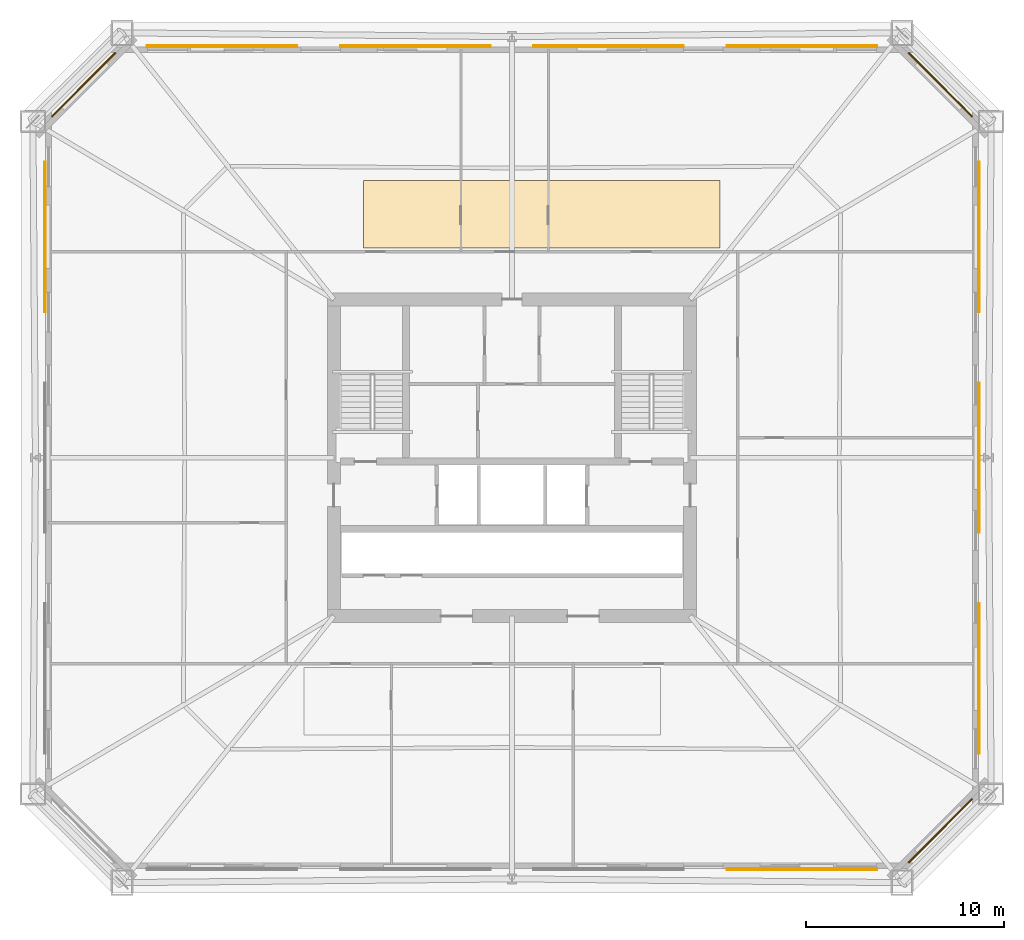
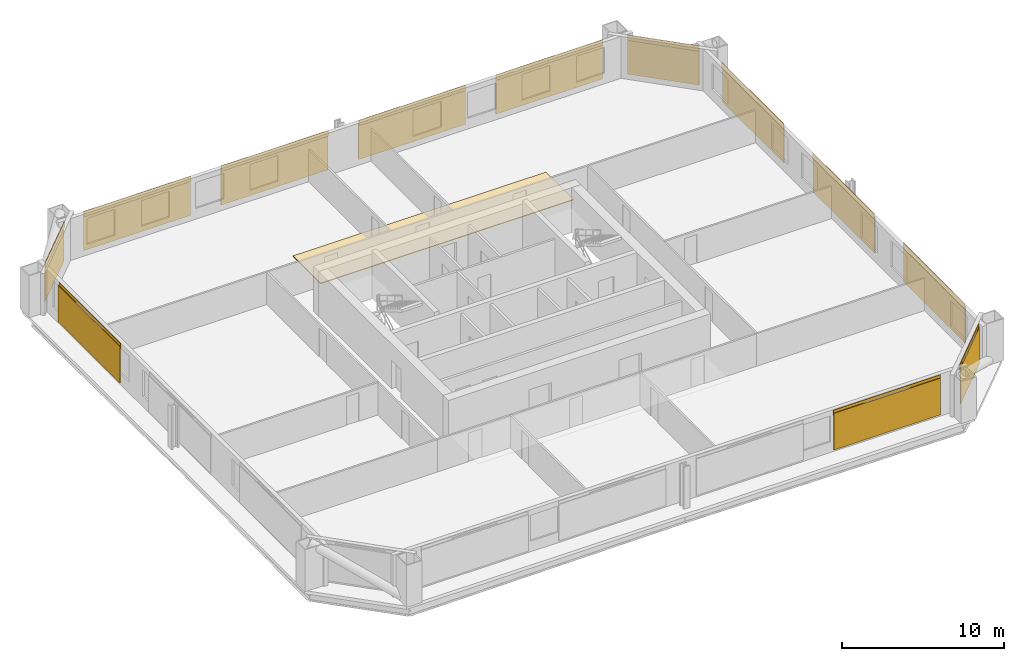
# One storey, part 7 of 7: 13 coverings, 12 shading devices.
"""IFC4 building model written with IfcOpenShell, lengths in metres."""

from ifc_helpers import new_model, si_unit, direction, frame, origin, origin_2d, place, context, subcontext, project, spatial, polyline, rectangle, outline, extrude, material, layer, layer_set, type_object, element, save


model = new_model("IFC4")

# Units and contexts
model_context = context("Model", 3, precision=1e-05, world=origin(), true_north=direction((0.0, 1.0)))
body_context = subcontext(model_context, "Body", "Model", "MODEL_VIEW")
ifc_project = project(units=[si_unit("LENGTHUNIT", "METRE"), si_unit("AREAUNIT", "SQUARE_METRE"), si_unit("VOLUMEUNIT", "CUBIC_METRE"), si_unit("PLANEANGLEUNIT", "RADIAN"), si_unit("MASSUNIT", "GRAM", prefix="KILO")], contexts=[model_context])

# Site, building, storey
site_placement = place(None, origin())
site = spatial("IfcSite", under=ifc_project, at=site_placement, CompositionType="ELEMENT")
building_placement = place(site_placement, origin())
building = spatial("IfcBuilding", under=site, at=building_placement, Name="Caelvoria Tower", CompositionType="ELEMENT")
storey_placement = place(building_placement, frame((0.0, 0.0, 31.60009765625)))
storey = spatial("IfcBuildingStorey", under=building, at=storey_placement, Name="L07", CompositionType="ELEMENT", Elevation=31.60009765625)

# Coverings
ifc_material_1 = material(Name="Perforated Architectural Bronze Cladding Screen", Category="bronze")
ifc_layer_1 = layer(ifc_material_1, 0.0400390625, Name="Perforated Architectural Bronze Cladding Screen")
ifc_layer_set_1 = layer_set([ifc_layer_1], Name="Perforated Bronze Louvre Cladding Band 40 - Perforated Architectural Bronze Cladding Screen")
covering_type_1 = type_object("IfcCoveringType", Name="Perforated Bronze Louvre Cladding Band 40", PredefinedType="CLADDING", material=ifc_layer_set_1)
covering_1_placement = place(storey_placement, frame((60.655029296875, 11.22802734375, 2.72998046875), z_axis=(0.0, 0.0, 1.0), x_axis=(1.0, 0.0, 0.0)))
element("IfcCovering", 1, at=covering_1_placement, inside=storey, type_object=covering_type_1, Name="Perforated Bronze Screen Band L07-E0-03", PredefinedType="CLADDING", context=body_context, shape_type="SweptSolid", body=[
    extrude(rectangle(XDim=7.60009765625, YDim=0.0400390625, at=origin_2d()), origin(), (0.0, 0.0, 1.0), 0.39990234375),
])
covering_2_placement = place(storey_placement, frame((67.631591796875, 13.168212890625, 2.72998046875), z_axis=(0.0, 0.0, 1.0), x_axis=(0.707106781187, 0.707106781187, 0.0)))
element("IfcCovering", 2, at=covering_2_placement, inside=storey, type_object=covering_type_1, Name="Perforated Bronze Screen Band L07-E1-00", PredefinedType="CLADDING", context=body_context, shape_type="SweptSolid", body=[
    extrude(rectangle(XDim=4.56298828125, YDim=0.0400390625, at=origin_2d()), origin(), (0.0, 0.0, 1.0), 0.39990234375),
])
for number, where, z_axis, x_axis, name in (
    (3, (69.572021484375, 20.840087890625, 2.72998046875), (0.0, 0.0, 1.0), (0.0, 1.0, 0.0), "Perforated Bronze Screen Band L07-E2-00"),
    (4, (69.572021484375, 32.0, 2.72998046875), (0.0, 0.0, 1.0), (0.0, 1.0, 0.0), "Perforated Bronze Screen Band L07-E2-01"),
    (5, (69.572021484375, 43.159912109375, 2.72998046875), (0.0, 0.0, 1.0), (0.0, 1.0, 0.0), "Perforated Bronze Screen Band L07-E2-02"),
):
    element("IfcCovering", number, at=place(storey_placement, frame(where, z_axis=z_axis, x_axis=x_axis)), inside=storey, type_object=covering_type_1, Name=name, PredefinedType="CLADDING", context=body_context, shape_type="SweptSolid", body=[
        extrude(rectangle(XDim=7.60009765625, YDim=0.0400390625, at=origin_2d()), origin(), (0.0, 0.0, 1.0), 0.39990234375),
    ])
covering_3_placement = place(storey_placement, frame((67.631591796875, 50.831787109375, 2.72998046875), z_axis=(0.0, 0.0, 1.0), x_axis=(-0.707106781187, 0.707106781187, 0.0)))
element("IfcCovering", 6, at=covering_3_placement, inside=storey, type_object=covering_type_1, Name="Perforated Bronze Screen Band L07-E3-00", PredefinedType="CLADDING", context=body_context, shape_type="SweptSolid", body=[
    extrude(rectangle(XDim=4.56298828125, YDim=0.0400390625, at=origin_2d()), origin(), (0.0, 0.0, 1.0), 0.39990234375),
])
for number, where, z_axis, x_axis, name in (
    (7, (60.655029296875, 52.77197265625, 2.72998046875), (0.0, 0.0, 1.0), (-1.0, 0.0, 0.0), "Perforated Bronze Screen Band L07-E4-00"),
    (8, (50.885009765625, 52.77197265625, 2.72998046875), (0.0, 0.0, 1.0), (-1.0, 0.0, 0.0), "Perforated Bronze Screen Band L07-E4-01"),
    (9, (41.114990234375, 52.77197265625, 2.72998046875), (0.0, 0.0, 1.0), (-1.0, 0.0, 0.0), "Perforated Bronze Screen Band L07-E4-02"),
    (10, (31.344970703125, 52.77197265625, 2.72998046875), (0.0, 0.0, 1.0), (-1.0, 0.0, 0.0), "Perforated Bronze Screen Band L07-E4-03"),
):
    element("IfcCovering", number, at=place(storey_placement, frame(where, z_axis=z_axis, x_axis=x_axis)), inside=storey, type_object=covering_type_1, Name=name, PredefinedType="CLADDING", context=body_context, shape_type="SweptSolid", body=[
        extrude(rectangle(XDim=7.60009765625, YDim=0.0400390625, at=origin_2d()), origin(), (0.0, 0.0, 1.0), 0.39990234375),
    ])
covering_4_placement = place(storey_placement, frame((24.368408203125, 50.831787109375, 2.72998046875), z_axis=(0.0, 0.0, 1.0), x_axis=(-0.707106781187, -0.707106781187, 0.0)))
element("IfcCovering", 11, at=covering_4_placement, inside=storey, type_object=covering_type_1, Name="Perforated Bronze Screen Band L07-E5-00", PredefinedType="CLADDING", context=body_context, shape_type="SweptSolid", body=[
    extrude(rectangle(XDim=4.56298828125, YDim=0.0400390625, at=origin_2d()), origin(), (0.0, 0.0, 1.0), 0.39990234375),
])
covering_5_placement = place(storey_placement, frame((22.427978515625, 43.159912109375, 2.72998046875), z_axis=(0.0, 0.0, 1.0), x_axis=(0.0, -1.0, 0.0)))
element("IfcCovering", 12, at=covering_5_placement, inside=storey, type_object=covering_type_1, Name="Perforated Bronze Screen Band L07-E6-00", PredefinedType="CLADDING", context=body_context, shape_type="SweptSolid", body=[
    extrude(rectangle(XDim=7.60009765625, YDim=0.0400390625, at=origin_2d()), origin(), (0.0, 0.0, 1.0), 0.39990234375),
])

# Shading devices
ifc_material_2 = material(Name="Perforated Architectural Bronze Alloy Panel", Category="bronze")
ifc_layer_2 = layer(ifc_material_2, 0.044921875, Name="Perforated Architectural Bronze Alloy Panel")
ifc_layer_set_2 = layer_set([ifc_layer_2], Name="Perforated Bronze Solar Screen Panel SCREEN - Perforated Architectural Bronze Alloy Panel")
shading_device_type = type_object("IfcShadingDeviceType", Name="Perforated Bronze Solar Screen Panel SCREEN", PredefinedType="USERDEFINED", material=ifc_layer_set_2)
shading_device_1_placement = place(storey_placement, frame((60.655029296875, 11.18505859375, 0.159912109375), z_axis=(0.0, 0.0, 1.0), x_axis=(1.0, 0.0, 0.0)))
element("IfcShadingDevice", 13, at=shading_device_1_placement, inside=storey, type_object=shading_device_type, Name="Perforated Bronze Solar Screen L07-E0-03", ObjectType="SCREEN", PredefinedType="USERDEFINED", context=body_context, shape_type="SweptSolid", body=[
    extrude(rectangle(XDim=7.60009765625, YDim=0.044921875, at=origin_2d()), origin(), (0.0, 0.0, 1.0), 2.75),
])
shading_device_2_placement = place(storey_placement, frame((67.662109375, 13.137939453125, 0.159912109375), z_axis=(0.0, 0.0, 1.0), x_axis=(0.707106781187, 0.707106781187, 0.0)))
element("IfcShadingDevice", 14, at=shading_device_2_placement, inside=storey, type_object=shading_device_type, Name="Perforated Bronze Solar Screen L07-E1-00", ObjectType="SCREEN", PredefinedType="USERDEFINED", context=body_context, shape_type="SweptSolid", body=[
    extrude(rectangle(XDim=4.56298828125, YDim=0.044921875, at=origin_2d()), origin(), (0.0, 0.0, 1.0), 2.75),
])
for number, where, z_axis, x_axis, name in (
    (15, (69.614990234375, 20.840087890625, 0.159912109375), (0.0, 0.0, 1.0), (0.0, 1.0, 0.0), "Perforated Bronze Solar Screen L07-E2-00"),
    (16, (69.614990234375, 32.0, 0.159912109375), (0.0, 0.0, 1.0), (0.0, 1.0, 0.0), "Perforated Bronze Solar Screen L07-E2-01"),
    (17, (69.614990234375, 43.159912109375, 0.159912109375), (0.0, 0.0, 1.0), (0.0, 1.0, 0.0), "Perforated Bronze Solar Screen L07-E2-02"),
):
    element("IfcShadingDevice", number, at=place(storey_placement, frame(where, z_axis=z_axis, x_axis=x_axis)), inside=storey, type_object=shading_device_type, Name=name, ObjectType="SCREEN", PredefinedType="USERDEFINED", context=body_context, shape_type="SweptSolid", body=[
        extrude(rectangle(XDim=7.60009765625, YDim=0.044921875, at=origin_2d()), origin(), (0.0, 0.0, 1.0), 2.75),
    ])
shading_device_3_placement = place(storey_placement, frame((67.662109375, 50.862060546875, 0.159912109375), z_axis=(0.0, 0.0, 1.0), x_axis=(-0.707106781187, 0.707106781187, 0.0)))
element("IfcShadingDevice", 18, at=shading_device_3_placement, inside=storey, type_object=shading_device_type, Name="Perforated Bronze Solar Screen L07-E3-00", ObjectType="SCREEN", PredefinedType="USERDEFINED", context=body_context, shape_type="SweptSolid", body=[
    extrude(rectangle(XDim=4.56298828125, YDim=0.044921875, at=origin_2d()), origin(), (0.0, 0.0, 1.0), 2.75),
])
for number, where, z_axis, x_axis, name in (
    (19, (60.655029296875, 52.81494140625, 0.159912109375), (0.0, 0.0, 1.0), (-1.0, 0.0, 0.0), "Perforated Bronze Solar Screen L07-E4-00"),
    (20, (50.885009765625, 52.81494140625, 0.159912109375), (0.0, 0.0, 1.0), (-1.0, 0.0, 0.0), "Perforated Bronze Solar Screen L07-E4-01"),
    (21, (41.114990234375, 52.81494140625, 0.159912109375), (0.0, 0.0, 1.0), (-1.0, 0.0, 0.0), "Perforated Bronze Solar Screen L07-E4-02"),
    (22, (31.344970703125, 52.81494140625, 0.159912109375), (0.0, 0.0, 1.0), (-1.0, 0.0, 0.0), "Perforated Bronze Solar Screen L07-E4-03"),
):
    element("IfcShadingDevice", number, at=place(storey_placement, frame(where, z_axis=z_axis, x_axis=x_axis)), inside=storey, type_object=shading_device_type, Name=name, ObjectType="SCREEN", PredefinedType="USERDEFINED", context=body_context, shape_type="SweptSolid", body=[
        extrude(rectangle(XDim=7.60009765625, YDim=0.044921875, at=origin_2d()), origin(), (0.0, 0.0, 1.0), 2.75),
    ])
shading_device_4_placement = place(storey_placement, frame((24.337890625, 50.862060546875, 0.159912109375), z_axis=(0.0, 0.0, 1.0), x_axis=(-0.707106781187, -0.707106781187, 0.0)))
element("IfcShadingDevice", 23, at=shading_device_4_placement, inside=storey, type_object=shading_device_type, Name="Perforated Bronze Solar Screen L07-E5-00", ObjectType="SCREEN", PredefinedType="USERDEFINED", context=body_context, shape_type="SweptSolid", body=[
    extrude(rectangle(XDim=4.56298828125, YDim=0.044921875, at=origin_2d()), origin(), (0.0, 0.0, 1.0), 2.75),
])
shading_device_5_placement = place(storey_placement, frame((22.385009765625, 43.159912109375, 0.159912109375), z_axis=(0.0, 0.0, 1.0), x_axis=(0.0, -1.0, 0.0)))
element("IfcShadingDevice", 24, at=shading_device_5_placement, inside=storey, type_object=shading_device_type, Name="Perforated Bronze Solar Screen L07-E6-00", ObjectType="SCREEN", PredefinedType="USERDEFINED", context=body_context, shape_type="SweptSolid", body=[
    extrude(rectangle(XDim=7.60009765625, YDim=0.044921875, at=origin_2d()), origin(), (0.0, 0.0, 1.0), 2.75),
])

# Covering
ifc_material_3 = material(Name="Calcium-Sulphate Raised Floor Tile", Category="gypsum")
ifc_layer_3 = layer(ifc_material_3, 0.06005859375, Name="Calcium-Sulphate Raised Floor Tile")
ifc_layer_set_3 = layer_set([ifc_layer_3], Name="Raised Access Office Floor System 120 - Calcium-Sulphate Raised Floor Tile")
covering_type_2 = type_object("IfcCoveringType", Name="Raised Access Office Floor System 120", PredefinedType="FLOORING", material=ifc_layer_set_3)
covering_6_placement = place(storey_placement, origin())
element("IfcCovering", 25, at=covering_6_placement, inside=storey, type_object=covering_type_2, Name="Raised Access Flooring L07", PredefinedType="FLOORING", context=body_context, shape_type="SweptSolid", body=[
    extrude(outline(polyline([(38.5, 42.60009765625), (56.5, 42.60009765625), (56.5, 46.0), (38.5, 46.0), (38.5, 42.60009765625)])), origin(), (0.0, 0.0, 1.0), 0.059814453125),
])

save(model, "model.ifc")
